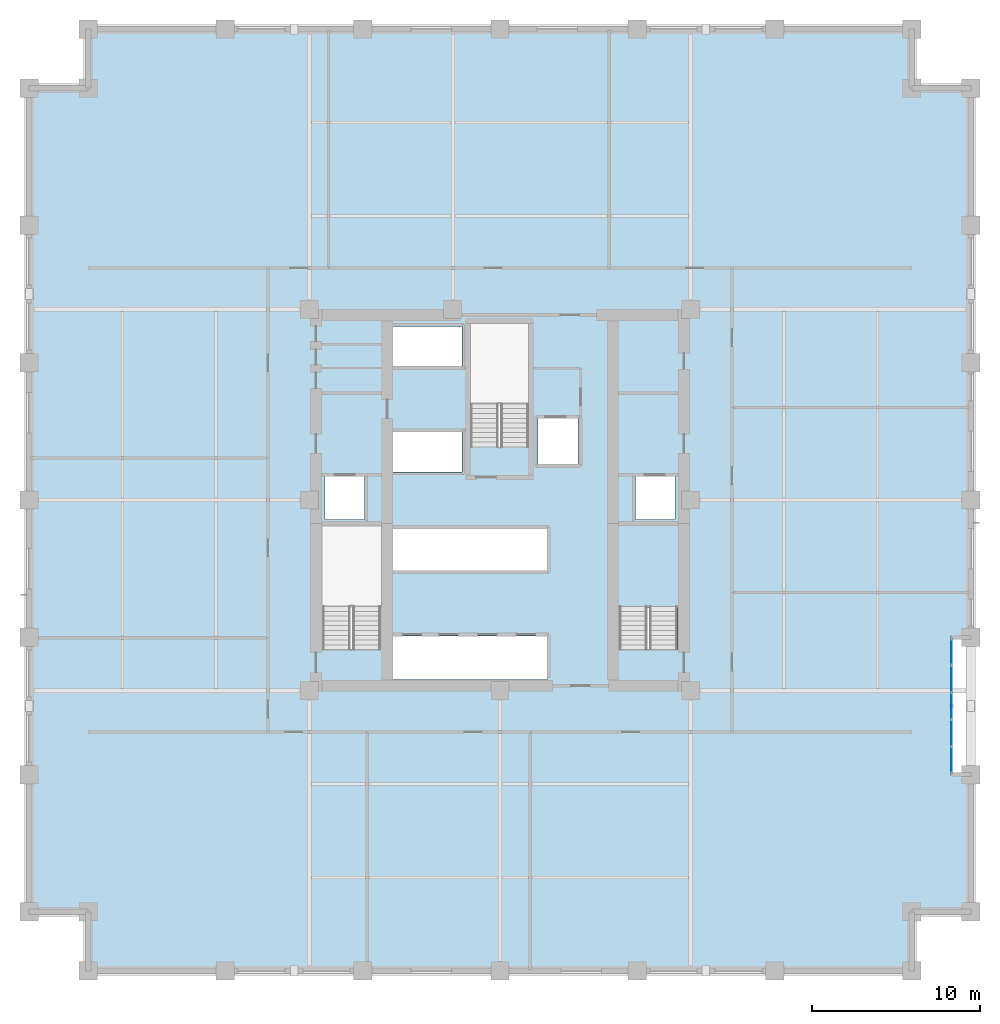
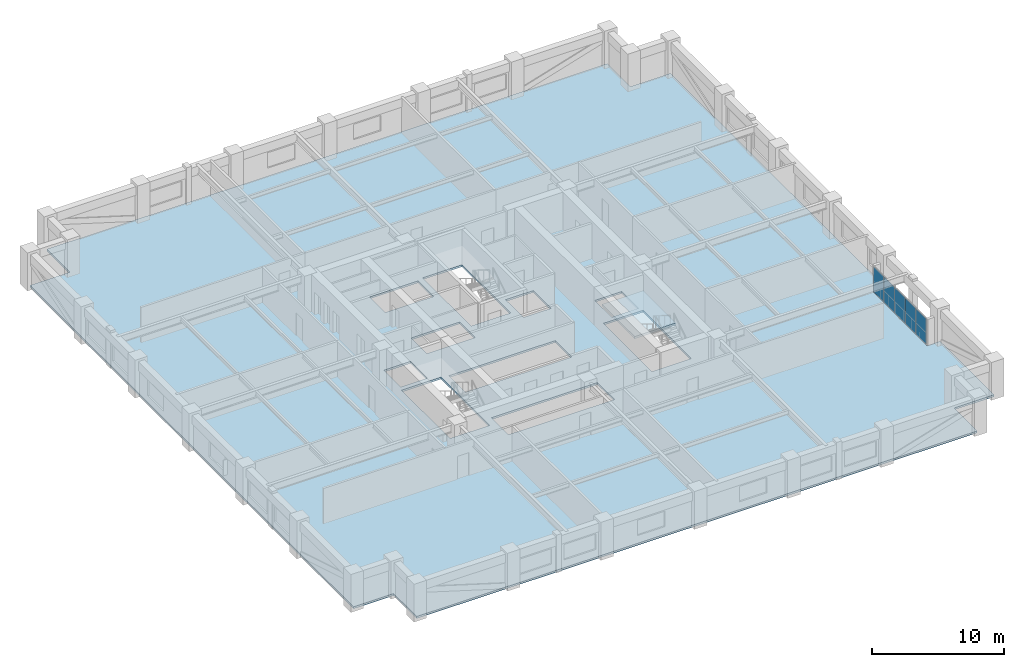
# One storey, part 5 of 13: 5 plates, 2 slabs, 2 elements without a shape of their own.
"""IFC4 building model written with IfcOpenShell, lengths in metres."""

from ifc_helpers import new_model, si_unit, direction, frame, origin, origin_2d, place, context, subcontext, project, spatial, polyline, rectangle, outline, extrude, material, layer, layer_set, type_object, element, aggregate, save


model = new_model("IFC4")

# Units and contexts
model_context = context("Model", 3, precision=1e-05, world=origin(), true_north=direction((0.0, 1.0)))
body_context = subcontext(model_context, "Body", "Model", "MODEL_VIEW")
ifc_project = project(units=[si_unit("LENGTHUNIT", "METRE"), si_unit("AREAUNIT", "SQUARE_METRE"), si_unit("VOLUMEUNIT", "CUBIC_METRE"), si_unit("PLANEANGLEUNIT", "RADIAN"), si_unit("MASSUNIT", "GRAM", prefix="KILO")], contexts=[model_context])

# Site, building, storey
site_placement = place(None, origin())
site = spatial("IfcSite", under=ifc_project, at=site_placement, CompositionType="ELEMENT")
building_placement = place(site_placement, origin())
building = spatial("IfcBuilding", under=site, at=building_placement, Name="Nhamokura Convention Tower", CompositionType="ELEMENT")
storey_placement = place(building_placement, frame((0.0, 0.0, 92.75)))
storey = spatial("IfcBuildingStorey", under=building, at=storey_placement, Name="L22", CompositionType="ELEMENT", Elevation=92.75)

# Curtain wall, plates
ifc_material_1 = material(Name="Anodised bronze aluminium AA6063-T6", Category="aluminium")
ifc_layer_1 = layer(ifc_material_1, 0.1650390625)
ifc_layer_set_1 = layer_set([ifc_layer_1], Name="CWSystem_ScaleSlot_Zone1")
curtain_wall_type = type_object("IfcCurtainWallType", Name="CWSystem_ScaleSlot_Zone1", PredefinedType="NOTDEFINED", material=ifc_layer_set_1)
curtain_wall_placement = place(storey_placement, origin())
curtain_wall = element("IfcCurtainWall", 1, at=curtain_wall_placement, inside=storey, type_object=curtain_wall_type, Name="L22 Curtain Wall ENV-L22-SLOT-E1", PredefinedType="NOTDEFINED")
ifc_material_2 = material(Name="Solar-control bronze low-E double glass", Category="glass")
ifc_layer_2 = layer(ifc_material_2, 0.031982421875)
ifc_layer_set_2 = layer_set([ifc_layer_2], Name="CWGlazedPanel_1")
plate_type = type_object("IfcPlateType", Name="CWGlazedPanel_1", PredefinedType="CURTAIN_PANEL", material=ifc_layer_set_2)
plate_1_placement = place(storey_placement, frame((58.85009765625, 22.952392578125, 0.06494140625), z_axis=(0.0, 0.0, 1.0), x_axis=(0.0, -1.0, 0.0)))
plate_1 = element("IfcPlate", 2, at=plate_1_placement, type_object=plate_type, Name="CW-03 panel 1.1", PredefinedType="CURTAIN_PANEL", context=body_context, shape_type="SweptSolid", body=[
    extrude(rectangle(XDim=1.51171875, YDim=0.031982421875, at=origin_2d()), origin(), (0.0, 0.0, 1.0), 2.35009765625),
])
plate_2_placement = place(storey_placement, frame((58.85009765625, 21.359375, 0.06494140625), z_axis=(0.0, 0.0, 1.0), x_axis=(0.0, -1.0, 0.0)))
plate_2 = element("IfcPlate", 3, at=plate_2_placement, type_object=plate_type, Name="CW-03 panel 2.1", PredefinedType="CURTAIN_PANEL", context=body_context, shape_type="SweptSolid", body=[
    extrude(rectangle(XDim=1.54443359375, YDim=0.031982421875, at=origin_2d()), origin(), (0.0, 0.0, 1.0), 2.35009765625),
])
plate_3_placement = place(storey_placement, frame((58.85009765625, 19.75, 0.06494140625), z_axis=(0.0, 0.0, 1.0), x_axis=(0.0, -1.0, 0.0)))
plate_3 = element("IfcPlate", 4, at=plate_3_placement, type_object=plate_type, Name="CW-03 panel 3.1", PredefinedType="CURTAIN_PANEL", context=body_context, shape_type="SweptSolid", body=[
    extrude(rectangle(XDim=1.54443359375, YDim=0.031982421875, at=origin_2d()), origin(), (0.0, 0.0, 1.0), 2.35009765625),
])
plate_4_placement = place(storey_placement, frame((58.85009765625, 18.140625, 0.06494140625), z_axis=(0.0, 0.0, 1.0), x_axis=(0.0, -1.0, 0.0)))
plate_4 = element("IfcPlate", 5, at=plate_4_placement, type_object=plate_type, Name="CW-03 panel 4.1", PredefinedType="CURTAIN_PANEL", context=body_context, shape_type="SweptSolid", body=[
    extrude(rectangle(XDim=1.54443359375, YDim=0.031982421875, at=origin_2d()), origin(), (0.0, 0.0, 1.0), 2.35009765625),
])
plate_5_placement = place(storey_placement, frame((58.85009765625, 16.547607421875, 0.06494140625), z_axis=(0.0, 0.0, 1.0), x_axis=(0.0, -1.0, 0.0)))
plate_5 = element("IfcPlate", 6, at=plate_5_placement, type_object=plate_type, Name="CW-03 panel 5.1", PredefinedType="CURTAIN_PANEL", context=body_context, shape_type="SweptSolid", body=[
    extrude(rectangle(XDim=1.51171875, YDim=0.031982421875, at=origin_2d()), origin(), (0.0, 0.0, 1.0), 2.35009765625),
])
aggregate(curtain_wall, [plate_1, plate_2, plate_3, plate_4, plate_5])

# Slab
ifc_material_3 = material(Name="Concrete C40/50", Category="concrete")
ifc_layer_3 = layer(ifc_material_3, 0.179931640625)
ifc_layer_set_3 = layer_set([ifc_layer_3], Name="HotelFloorSlab_180")
slab_type_1 = type_object("IfcSlabType", Name="HotelFloorSlab_180", PredefinedType="FLOOR", material=ifc_layer_set_3)
slab_1_placement = place(storey_placement, frame((0.0, 0.0, -0.179931640625)))
element("IfcSlab", 7, at=slab_1_placement, inside=storey, type_object=slab_type_1, Name="L22 Structural Floor Slab", PredefinedType="FLOOR", context=body_context, shape_type="SweptSolid", body=[
    extrude(outline(polyline([(7.5, 4.0), (56.5, 4.0), (56.5, 7.5), (60.0, 7.5), (60.0, 15.666748046875), (58.85009765625, 15.666748046875), (58.85009765625, 23.833251953125), (60.0, 23.833251953125), (60.0, 56.5), (56.5, 56.5), (56.5, 60.0), (7.5, 60.0), (7.5, 56.5), (4.0, 56.5), (4.0, 7.5), (7.5, 7.5), (7.5, 4.0)]), holes=[polyline([(24.89990234375, 23.10009765625), (24.89990234375, 30.449951171875), (21.449951171875, 30.449951171875), (21.449951171875, 23.10009765625), (24.89990234375, 23.10009765625)]), polyline([(42.550048828125, 23.10009765625), (42.550048828125, 30.449951171875), (39.10009765625, 30.449951171875), (39.10009765625, 23.10009765625), (42.550048828125, 23.10009765625)]), polyline([(33.699951171875, 35.14990234375), (33.699951171875, 42.5), (30.25, 42.5), (30.25, 35.14990234375), (33.699951171875, 35.14990234375)]), polyline([(21.60009765625, 30.85009765625), (23.949951171875, 30.85009765625), (23.949951171875, 33.39990234375), (21.60009765625, 33.39990234375), (21.60009765625, 30.85009765625)]), polyline([(40.050048828125, 30.85009765625), (42.39990234375, 30.85009765625), (42.39990234375, 33.39990234375), (40.050048828125, 33.39990234375), (40.050048828125, 30.85009765625)]), polyline([(34.25, 34.14990234375), (36.64990234375, 34.14990234375), (36.64990234375, 36.85009765625), (34.25, 36.85009765625), (34.25, 34.14990234375)]), polyline([(25.52001953125, 21.320068359375), (34.800048828125, 21.320068359375), (34.800048828125, 23.89990234375), (25.52001953125, 23.89990234375), (25.52001953125, 21.320068359375)]), polyline([(25.52001953125, 27.800048828125), (34.800048828125, 27.800048828125), (34.800048828125, 30.300048828125), (25.52001953125, 30.300048828125), (25.52001953125, 27.800048828125)]), polyline([(25.52001953125, 33.679931640625), (29.75, 33.679931640625), (29.75, 36.050048828125), (25.52001953125, 36.050048828125), (25.52001953125, 33.679931640625)]), polyline([(25.52001953125, 39.949951171875), (29.75, 39.949951171875), (29.75, 42.320068359375), (25.52001953125, 42.320068359375), (25.52001953125, 39.949951171875)])]), origin(), (0.0, 0.0, 1.0), 0.179931640625),
])

# Stair, slab
ifc_material_4 = material(Name="Concrete C40/50", Category="concrete")
stair_type = type_object("IfcStairType", Name="TowerCoreStair_1650", PredefinedType="HALF_TURN_STAIR", material=ifc_material_4)
stair_placement = place(storey_placement, origin())
stair = element("IfcStair", 8, at=stair_placement, inside=storey, type_object=stair_type, Name="L22 East Core Smokeproof Stair ST-02", PredefinedType="HALF_TURN_STAIR")
ifc_material_5 = material(Name="Concrete C40/50", Category="concrete")
ifc_layer_4 = layer(ifc_material_5, 0.199951171875)
ifc_layer_set_4 = layer_set([ifc_layer_4], Name="StairLandingSlab_200")
slab_type_2 = type_object("IfcSlabType", Name="StairLandingSlab_200", PredefinedType="LANDING", material=ifc_layer_set_4)
slab_2_placement = place(storey_placement, frame((0.0, 0.0, 1.550048828125)))
slab_2 = element("IfcSlab", 9, at=slab_2_placement, type_object=slab_type_2, Name="ST-02 landing 1", PredefinedType="LANDING", context=body_context, shape_type="SweptSolid", body=[
    extrude(outline(polyline([(42.6298828125, 25.5849609375), (42.6298828125, 30.530029296875), (39.02001953125, 30.530029296875), (39.02001953125, 25.5849609375), (42.6298828125, 25.5849609375)])), origin(), (0.0, 0.0, 1.0), 0.199951171875),
])
aggregate(stair, [slab_2])

save(model, "model.ifc")
